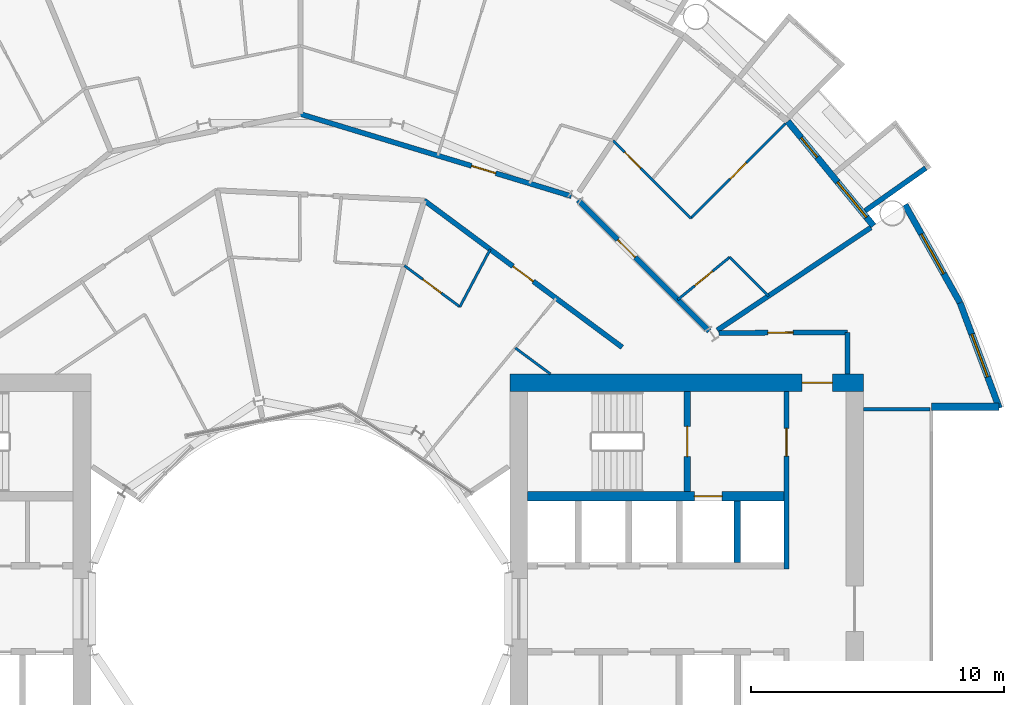
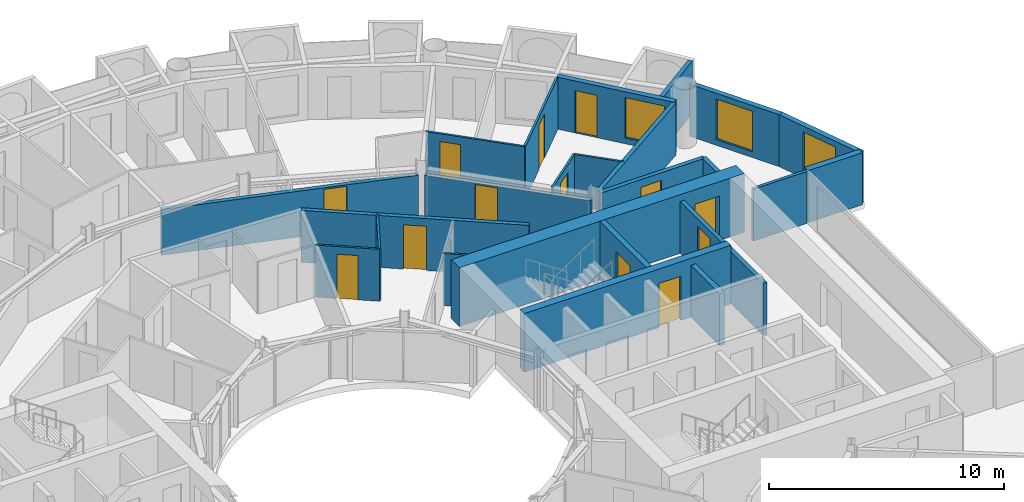
# One storey, part 21 of 26: 24 walls, 13 doors, 3 windows, 16 openings.
"""IFC4 building model written with IfcOpenShell, lengths in metres."""

from ifc_helpers import new_model, si_unit, direction, frame, frame_2d, origin, place, context, subcontext, project, spatial, rectangle, extrude, material, layer, layer_set, type_object, element, fill, save


model = new_model("IFC4")

# Units and contexts
model_context = context("Model", 3, precision=1e-05, world=origin(), true_north=direction((0.0, 1.0)))
body_context = subcontext(model_context, "Body", "Model", "MODEL_VIEW")
ifc_project = project(units=[si_unit("LENGTHUNIT", "METRE"), si_unit("AREAUNIT", "SQUARE_METRE"), si_unit("VOLUMEUNIT", "CUBIC_METRE"), si_unit("PLANEANGLEUNIT", "RADIAN"), si_unit("MASSUNIT", "GRAM", prefix="KILO")], contexts=[model_context])

# Site, building, storey
site_placement = place(None, origin())
site = spatial("IfcSite", under=ifc_project, at=site_placement, CompositionType="ELEMENT")
building_placement = place(site_placement, origin())
building = spatial("IfcBuilding", under=site, at=building_placement, Name="Maasbend Ring Residences", CompositionType="ELEMENT")
storey_placement = place(building_placement, frame((0.0, 0.0, 91.050048828125)))
storey = spatial("IfcBuildingStorey", under=building, at=storey_placement, Name="L26", CompositionType="ELEMENT", Elevation=91.050048828125)

# Wall, opening, door
ifc_material_1 = material(Name="Concrete C70/85", Category="concrete")
ifc_layer_1 = layer(ifc_material_1, 0.25)
ifc_layer_set_1 = layer_set([ifc_layer_1], Name="Concrete C70/85")
wall_type_1 = type_object("IfcWallType", Name="CORE WALL 250 C70/85", PredefinedType="SHEAR", material=ifc_layer_set_1)
wall_1_placement = place(storey_placement, frame((15.324951171875, 4.64990234375, 0.0), z_axis=(0.0, 0.0, 1.0), x_axis=(0.0, 1.0, 0.0)))
wall_1 = element("IfcWall", 1, at=wall_1_placement, inside=storey, type_object=wall_type_1, Name="L26 core E wall STEN", PredefinedType="SHEAR", context=body_context, shape_type="SweptSolid", body=[
    extrude(rectangle(XDim=3.9501953125, YDim=0.25, at=frame_2d((1.97509765625, 0.0))), origin(), (0.0, 0.0, 1.0), 3.050048828125),
])
opening_1_placement = place(wall_1_placement, frame((1.375, 0.0, 0.0)))
opening_1 = element("IfcOpeningElement", 2, at=opening_1_placement, cuts=wall_1, Name="Opening D-E2610", PredefinedType="OPENING", context=body_context, shape_type="SweptSolid", body=[
    extrude(rectangle(XDim=1.199951171875, YDim=2.300048828125, at=frame_2d((0.60009765625, 1.14990234375))), frame((0.0, 0.135009765625, 0.0), z_axis=(0.0, -1.0, 0.0), x_axis=(1.0, 0.0, 0.0)), (0.0, 0.0, 1.0), 0.27001953125),
])
ifc_material_2 = material(Name="Steel, powder coated", Category="steel")
door_type_1 = type_object("IfcDoorType", Name="STAIR DOOR 1200 X 2300 FD60", OperationType="NOTDEFINED", PredefinedType="DOOR", material=ifc_material_2)
door_1_placement = place(opening_1_placement, origin())
door_1 = element("IfcDoor", 3, at=door_1_placement, inside=storey, type_object=door_type_1, Name="Stair door ST-E L26", OperationType="SINGLE_SWING_LEFT", OverallHeight=2.300048828125, OverallWidth=1.199951171875, PredefinedType="DOOR", context=body_context, shape_type="SweptSolid", body=[
    extrude(rectangle(XDim=1.199951171875, YDim=2.300048828125, at=frame_2d((0.60009765625, 1.14990234375))), frame((0.0, 0.02490234375, 0.0), z_axis=(0.0, -1.0, 0.0), x_axis=(1.0, 0.0, 0.0)), (0.0, 0.0, 1.0), 0.050048828125),
])
fill(opening_1, door_1)

ifc_material_3 = material(Name="Concrete C70/85", Category="concrete")
ifc_layer_2 = layer(ifc_material_3, 0.375)
ifc_layer_set_2 = layer_set([ifc_layer_2], Name="Concrete C70/85")
wall_type_2 = type_object("IfcWallType", Name="CORE WALL 375 C70/85", PredefinedType="SHEAR", material=ifc_layer_set_2)
wall_2_placement = place(storey_placement, frame((9.0, 4.46240234375, 0.0), z_axis=(0.0, 0.0, 1.0), x_axis=(1.0, 0.0, 0.0)))
wall_2 = element("IfcWall", 4, at=wall_2_placement, inside=storey, type_object=wall_type_2, Name="L26 core E wall BN", PredefinedType="SHEAR", context=body_context, shape_type="SweptSolid", body=[
    extrude(rectangle(XDim=10.14990234375, YDim=0.375, at=frame_2d((5.074951171875, 0.0))), origin(), (0.0, 0.0, 1.0), 3.050048828125),
])
opening_2_placement = place(wall_2_placement, frame((6.60009765625, 0.0, 0.0)))
opening_2 = element("IfcOpeningElement", 5, at=opening_2_placement, cuts=wall_2, Name="Opening LD-E2604", PredefinedType="OPENING", context=body_context, shape_type="SweptSolid", body=[
    extrude(rectangle(XDim=1.10009765625, YDim=2.300048828125, at=frame_2d((0.550048828125, 1.14990234375))), frame((0.0, 0.197509765625, 0.0), z_axis=(0.0, -1.0, 0.0), x_axis=(1.0, 0.0, 0.0)), (0.0, 0.0, 1.0), 0.39501953125),
])
ifc_material_4 = material(Name="Stainless steel 316", Category="steel")
door_type_2 = type_object("IfcDoorType", Name="LANDING DOOR 1100 X 2300 FD60", OperationType="DOUBLE_DOOR_SLIDING", PredefinedType="DOOR", material=ifc_material_4)
door_2_placement = place(opening_2_placement, origin())
door_2 = element("IfcDoor", 6, at=door_2_placement, inside=storey, type_object=door_type_2, Name="Landing door FF-E L26", OperationType="DOUBLE_DOOR_SLIDING", OverallHeight=2.300048828125, OverallWidth=1.10009765625, PredefinedType="DOOR", context=body_context, shape_type="SweptSolid", body=[
    extrude(rectangle(XDim=1.10009765625, YDim=2.300048828125, at=frame_2d((0.550048828125, 1.14990234375))), frame((0.0, 0.02490234375, 0.0), z_axis=(0.0, -1.0, 0.0), x_axis=(1.0, 0.0, 0.0)), (0.0, 0.0, 1.0), 0.050048828125),
])
fill(opening_2, door_2)

ifc_material_5 = material(Name="Concrete C70/85", Category="concrete")
ifc_layer_3 = layer(ifc_material_5, 0.699951171875)
ifc_layer_set_3 = layer_set([ifc_layer_3], Name="Concrete C70/85")
wall_type_3 = type_object("IfcWallType", Name="CORE WALL 700 C70/85", PredefinedType="SHEAR", material=ifc_layer_set_3)
wall_3_placement = place(storey_placement, frame((22.300048828125, 8.949951171875, 0.0), z_axis=(0.0, 0.0, 1.0), x_axis=(-1.0, 0.0, 0.0)))
wall_3 = element("IfcWall", 7, at=wall_3_placement, inside=storey, type_object=wall_type_3, Name="L26 core E wall PN", PredefinedType="SHEAR", context=body_context, shape_type="SweptSolid", body=[
    extrude(rectangle(XDim=14.0, YDim=0.699951171875, at=frame_2d((7.0, 0.0))), origin(), (0.0, 0.0, 1.0), 3.050048828125),
])
opening_3_placement = place(wall_3_placement, frame((1.22509765625, 0.0, 0.0)))
opening_3 = element("IfcOpeningElement", 8, at=opening_3_placement, cuts=wall_3, Name="Opening D-E2614", PredefinedType="OPENING", context=body_context, shape_type="SweptSolid", body=[
    extrude(rectangle(XDim=1.199951171875, YDim=2.300048828125, at=frame_2d((0.60009765625, 1.14990234375))), frame((0.0, 0.35986328125, 0.0), z_axis=(0.0, -1.0, 0.0), x_axis=(1.0, 0.0, 0.0)), (0.0, 0.0, 1.0), 0.719970703125),
])
ifc_material_6 = material(Name="Steel, powder coated", Category="steel")
door_type_3 = type_object("IfcDoorType", Name="CORRIDOR DOOR 1200 X 2300 FD30S", OperationType="NOTDEFINED", PredefinedType="DOOR", material=ifc_material_6)
door_3_placement = place(opening_3_placement, origin())
door_3 = element("IfcDoor", 9, at=door_3_placement, inside=storey, type_object=door_type_3, Name="Corridor door L26", OperationType="SINGLE_SWING_RIGHT", OverallHeight=2.300048828125, OverallWidth=1.199951171875, PredefinedType="DOOR", context=body_context, shape_type="SweptSolid", body=[
    extrude(rectangle(XDim=1.199951171875, YDim=2.300048828125, at=frame_2d((0.60009765625, 1.14990234375))), frame((0.0, 0.02490234375, 0.0), z_axis=(0.0, -1.0, 0.0), x_axis=(1.0, 0.0, 0.0)), (0.0, 0.0, 1.0), 0.050048828125),
])
fill(opening_3, door_3)

# Wall
ifc_material_7 = material(Name="Concrete C30/37", Category="concrete")
ifc_layer_4 = layer(ifc_material_7, 0.199951171875)
ifc_layer_set_4 = layer_set([ifc_layer_4], Name="Concrete C30/37")
wall_type_4 = type_object("IfcWallType", Name="CORRIDOR WALL 200 CONCRETE", PredefinedType="PARTITIONING", material=ifc_layer_set_4)
wall_4_placement = place(storey_placement, frame((21.675048828125, 9.300048828125, 0.0), z_axis=(0.0, 0.0, 1.0), x_axis=(0.0, 1.0, 0.0)))
element("IfcWall", 10, at=wall_4_placement, inside=storey, type_object=wall_type_4, Name="U-L26-w006", PredefinedType="PARTITIONING", context=body_context, shape_type="SweptSolid", body=[
    extrude(rectangle(XDim=1.64990234375, YDim=0.199951171875, at=frame_2d((0.824951171875, 0.0))), origin(), (0.0, 0.0, 1.0), 2.699951171875),
])

# Wall, opening, door
wall_5_placement = place(storey_placement, frame((16.587890625, 10.925048828125, 0.0), z_axis=(0.0, 0.0, 1.0), x_axis=(0.999988019025, 0.004895079807, 0.0)))
wall_5 = element("IfcWall", 11, at=wall_5_placement, inside=storey, type_object=wall_type_4, Name="U-L26-w087", PredefinedType="PARTITIONING", context=body_context, shape_type="SweptSolid", body=[
    extrude(rectangle(XDim=5.087158203125, YDim=0.199951171875, at=frame_2d((2.54345703125, 0.0))), origin(), (0.0, 0.0, 1.0), 2.699951171875),
])
opening_4_placement = place(wall_5_placement, frame((1.925048828125, 0.0, 0.0)))
opening_4 = element("IfcOpeningElement", 12, at=opening_4_placement, cuts=wall_5, Name="Opening D-2666", PredefinedType="OPENING", context=body_context, shape_type="SweptSolid", body=[
    extrude(rectangle(XDim=1.0, YDim=2.300048828125, at=frame_2d((0.5, 1.14990234375))), frame((0.0, 0.10986328125, 0.0), z_axis=(0.0, -1.0, 0.0), x_axis=(1.0, 0.0, 0.0)), (0.0, 0.0, 1.0), 0.219970703125),
])
ifc_material_8 = material(Name="Timber, painted", Category="wood")
door_type_4 = type_object("IfcDoorType", Name="ROOM DOOR 1000 X 2300", OperationType="NOTDEFINED", PredefinedType="DOOR", material=ifc_material_8)
door_4_placement = place(opening_4_placement, origin())
door_4 = element("IfcDoor", 13, at=door_4_placement, inside=storey, type_object=door_type_4, Name="D-2666", OperationType="SINGLE_SWING_LEFT", OverallHeight=2.300048828125, OverallWidth=1.0, PredefinedType="DOOR", context=body_context, shape_type="SweptSolid", body=[
    extrude(rectangle(XDim=1.0, YDim=2.300048828125, at=frame_2d((0.5, 1.14990234375))), frame((0.0, 0.02490234375, 0.0), z_axis=(0.0, -1.0, 0.0), x_axis=(1.0, 0.0, 0.0)), (0.0, 0.0, 1.0), 0.050048828125),
])
fill(opening_4, door_4)

wall_6_placement = place(storey_placement, frame((4.906005859375, 16.172119140625, 0.0), z_axis=(0.0, 0.0, 1.0), x_axis=(0.803191461888, -0.595720971219, 0.0)))
wall_6 = element("IfcWall", 14, at=wall_6_placement, inside=storey, type_object=wall_type_4, Name="U-L26-w096", PredefinedType="PARTITIONING", context=body_context, shape_type="SweptSolid", body=[
    extrude(rectangle(XDim=9.760009765625, YDim=0.199951171875, at=frame_2d((4.8798828125, 0.0))), origin(), (0.0, 0.0, 1.0), 2.699951171875),
])
opening_5_placement = place(wall_6_placement, frame((4.3798828125, 0.0, 0.0)))
opening_5 = element("IfcOpeningElement", 15, at=opening_5_placement, cuts=wall_6, Name="Opening D-2621", PredefinedType="OPENING", context=body_context, shape_type="SweptSolid", body=[
    extrude(rectangle(XDim=1.0, YDim=2.300048828125, at=frame_2d((0.5, 1.14990234375))), frame((0.0, 0.10986328125, 0.0), z_axis=(0.0, -1.0, 0.0), x_axis=(1.0, 0.0, 0.0)), (0.0, 0.0, 1.0), 0.219970703125),
])
ifc_material_9 = material(Name="Timber, fire-rated, painted", Category="wood")
door_type_5 = type_object("IfcDoorType", Name="FLAT ENTRANCE DOOR 1000 X 2300 FIRE-RATED", OperationType="NOTDEFINED", PredefinedType="DOOR", material=ifc_material_9)
door_5_placement = place(opening_5_placement, origin())
door_5 = element("IfcDoor", 16, at=door_5_placement, inside=storey, type_object=door_type_5, Name="D-2621", OperationType="SINGLE_SWING_LEFT", OverallHeight=2.300048828125, OverallWidth=1.0, PredefinedType="DOOR", context=body_context, shape_type="SweptSolid", body=[
    extrude(rectangle(XDim=1.0, YDim=2.300048828125, at=frame_2d((0.5, 1.14990234375))), frame((0.0, 0.02490234375, 0.0), z_axis=(0.0, -1.0, 0.0), x_axis=(1.0, 0.0, 0.0)), (0.0, 0.0, 1.0), 0.050048828125),
])
fill(opening_5, door_5)

wall_7_placement = place(storey_placement, frame((-0.007080078125, 19.59912109375, 0.0), z_axis=(0.0, 0.0, 1.0), x_axis=(0.95700958731, -0.290056287291, 0.0)))
wall_7 = element("IfcWall", 17, at=wall_7_placement, inside=storey, type_object=wall_type_4, Name="U-L26-w098", PredefinedType="PARTITIONING", context=body_context, shape_type="SweptSolid", body=[
    extrude(rectangle(XDim=11.225830078125, YDim=0.199951171875, at=frame_2d((5.61279296875, 0.0))), origin(), (0.0, 0.0, 1.0), 2.3798828125),
])
opening_6_placement = place(wall_7_placement, frame((7.093017578125, 0.0, 0.0)))
opening_6 = element("IfcOpeningElement", 18, at=opening_6_placement, cuts=wall_7, Name="Opening D-2605", PredefinedType="OPENING", context=body_context, shape_type="SweptSolid", body=[
    extrude(rectangle(XDim=1.0, YDim=2.300048828125, at=frame_2d((0.5, 1.14990234375))), frame((0.0, 0.10986328125, 0.0), z_axis=(0.0, -1.0, 0.0), x_axis=(1.0, 0.0, 0.0)), (0.0, 0.0, 1.0), 0.219970703125),
])
door_6_placement = place(opening_6_placement, origin())
door_6 = element("IfcDoor", 19, at=door_6_placement, inside=storey, type_object=door_type_5, Name="D-2605", OperationType="SINGLE_SWING_RIGHT", OverallHeight=2.300048828125, OverallWidth=1.0, PredefinedType="DOOR", context=body_context, shape_type="SweptSolid", body=[
    extrude(rectangle(XDim=1.0, YDim=2.300048828125, at=frame_2d((0.5, 1.14990234375))), frame((0.0, 0.02490234375, 0.0), z_axis=(0.0, -1.0, 0.0), x_axis=(1.0, 0.0, 0.0)), (0.0, 0.0, 1.0), 0.050048828125),
])
fill(opening_6, door_6)

wall_8_placement = place(storey_placement, frame((11.0, 16.18603515625, 0.0), z_axis=(0.0, 0.0, 1.0), x_axis=(0.707106781187, -0.707106781187, 0.0)))
wall_8 = element("IfcWall", 20, at=wall_8_placement, inside=storey, type_object=wall_type_4, Name="U-L26-w101", PredefinedType="PARTITIONING", context=body_context, shape_type="SweptSolid", body=[
    extrude(rectangle(XDim=7.334228515625, YDim=0.199951171875, at=frame_2d((3.6669921875, 0.0))), origin(), (0.0, 0.0, 1.0), 2.3798828125),
])
opening_7_placement = place(wall_8_placement, frame((2.2109375, 0.0, 0.0)))
opening_7 = element("IfcOpeningElement", 21, at=opening_7_placement, cuts=wall_8, Name="Opening D-2601", PredefinedType="OPENING", context=body_context, shape_type="SweptSolid", body=[
    extrude(rectangle(XDim=1.0, YDim=2.300048828125, at=frame_2d((0.5, 1.14990234375))), frame((0.0, 0.10986328125, 0.0), z_axis=(0.0, -1.0, 0.0), x_axis=(1.0, 0.0, 0.0)), (0.0, 0.0, 1.0), 0.219970703125),
])
door_7_placement = place(opening_7_placement, origin())
door_7 = element("IfcDoor", 22, at=door_7_placement, inside=storey, type_object=door_type_5, Name="D-2601", OperationType="SINGLE_SWING_LEFT", OverallHeight=2.300048828125, OverallWidth=1.0, PredefinedType="DOOR", context=body_context, shape_type="SweptSolid", body=[
    extrude(rectangle(XDim=1.0, YDim=2.300048828125, at=frame_2d((0.5, 1.14990234375))), frame((0.0, 0.02490234375, 0.0), z_axis=(0.0, -1.0, 0.0), x_axis=(1.0, 0.0, 0.0)), (0.0, 0.0, 1.0), 0.050048828125),
])
fill(opening_7, door_7)

# Wall
ifc_material_10 = material(Name="Pale anodised aluminium panel", Category="aluminium")
ifc_layer_5 = layer(ifc_material_10, 0.199951171875)
ifc_layer_set_5 = layer_set([ifc_layer_5], Name="EW-BOX")
wall_type_5 = type_object("IfcWallType", Name="EW-BOX", PredefinedType="SOLIDWALL", material=ifc_layer_set_5)
wall_9_placement = place(storey_placement, frame((22.3701171875, 15.764892578125, -0.030029296875), z_axis=(0.0, 0.0, 1.0), x_axis=(0.817256123454, 0.576274612209, 0.0)))
element("IfcWall", 23, at=wall_9_placement, inside=storey, type_object=wall_type_5, Name="Box side wall N01 left", PredefinedType="SOLIDWALL", context=body_context, shape_type="SweptSolid", body=[
    extrude(rectangle(XDim=2.932861328125, YDim=0.199951171875, at=frame_2d((1.46630859375, 0.0))), origin(), (0.0, 0.0, 1.0), 2.72998046875),
])

# Wall, openings, door, window
ifc_material_11 = material(Name="Aluminium clad insulated panel", Category="aluminium")
ifc_layer_6 = layer(ifc_material_11, 0.25)
ifc_layer_set_6 = layer_set([ifc_layer_6], Name="EW-GL")
wall_type_6 = type_object("IfcWallType", Name="EW-GL", PredefinedType="SOLIDWALL", material=ifc_layer_set_6)
wall_10_placement = place(storey_placement, frame((22.698974609375, 15.1669921875, 0.0), z_axis=(0.0, 0.0, 1.0), x_axis=(-0.634382322723, 0.773019449054, 0.0)))
wall_10 = element("IfcWall", 24, at=wall_10_placement, inside=storey, type_object=wall_type_6, Name="External wall N01", PredefinedType="SOLIDWALL", context=body_context, shape_type="SweptSolid", body=[
    extrude(rectangle(XDim=5.351806640625, YDim=0.25, at=frame_2d((2.67578125, 0.0))), origin(), (0.0, 0.0, 1.0), 2.699951171875),
])
opening_8_placement = place(wall_10_placement, frame((0.441162109375, 0.0, 0.300048828125)))
opening_8 = element("IfcOpeningElement", 25, at=opening_8_placement, cuts=wall_10, Name="Opening W-BX", PredefinedType="OPENING", context=body_context, shape_type="SweptSolid", body=[
    extrude(rectangle(XDim=1.800048828125, YDim=2.10009765625, at=frame_2d((0.89990234375, 1.050048828125))), frame((0.0, 0.135009765625, 0.0), z_axis=(0.0, -1.0, 0.0), x_axis=(1.0, 0.0, 0.0)), (0.0, 0.0, 1.0), 0.27001953125),
])
opening_9_placement = place(wall_10_placement, frame((3.510498046875, 0.0, 0.0)))
opening_9 = element("IfcOpeningElement", 26, at=opening_9_placement, cuts=wall_10, Name="Opening D-LG", PredefinedType="OPENING", context=body_context, shape_type="SweptSolid", body=[
    extrude(rectangle(XDim=1.0, YDim=2.199951171875, at=frame_2d((0.5, 1.10009765625))), frame((0.0, 0.135009765625, 0.0), z_axis=(0.0, -1.0, 0.0), x_axis=(1.0, 0.0, 0.0)), (0.0, 0.0, 1.0), 0.27001953125),
])
ifc_material_12 = material(Name="Aluminium and clear glass", Category="aluminium")
door_type_6 = type_object("IfcDoorType", Name="D-LG", OperationType="SINGLE_SWING_LEFT", PredefinedType="DOOR", material=ifc_material_12)
door_8_placement = place(opening_9_placement, origin())
door_8 = element("IfcDoor", 27, at=door_8_placement, inside=storey, type_object=door_type_6, Name="Loggia door N02", OperationType="SINGLE_SWING_LEFT", OverallHeight=2.199951171875, OverallWidth=1.0, PredefinedType="DOOR", context=body_context, shape_type="SweptSolid", body=[
    extrude(rectangle(XDim=1.0, YDim=2.199951171875, at=frame_2d((0.5, 1.10009765625))), frame((0.0, 0.02490234375, 0.0), z_axis=(0.0, -1.0, 0.0), x_axis=(1.0, 0.0, 0.0)), (0.0, 0.0, 1.0), 0.050048828125),
])
fill(opening_9, door_8)
ifc_material_13 = material(Name="Aluminium and clear glass", Category="aluminium")
window_type = type_object("IfcWindowType", Name="W-BX", PartitioningType="DOUBLE_PANEL_VERTICAL", PredefinedType="WINDOW", material=ifc_material_13)
window_1_placement = place(opening_8_placement, origin())
window_1 = element("IfcWindow", 28, at=window_1_placement, inside=storey, type_object=window_type, Name="Window N01 room to box", OverallHeight=2.10009765625, OverallWidth=1.800048828125, PartitioningType="SINGLE_PANEL", PredefinedType="WINDOW", context=body_context, shape_type="SweptSolid", body=[
    extrude(rectangle(XDim=1.800048828125, YDim=2.10009765625, at=frame_2d((0.89990234375, 1.050048828125))), frame((0.0, 0.030029296875, 0.0), z_axis=(0.0, -1.0, 0.0), x_axis=(1.0, 0.0, 0.0)), (0.0, 0.0, 1.0), 0.06005859375),
])
fill(opening_8, window_1)

# Wall, opening, window
ifc_material_14 = material(Name="Aluminium clad insulated panel", Category="aluminium")
ifc_layer_7 = layer(ifc_material_14, 0.25)
ifc_layer_set_7 = layer_set([ifc_layer_7], Name="EW-HORN")
wall_type_7 = type_object("IfcWallType", Name="EW-HORN", PredefinedType="SOLIDWALL", material=ifc_layer_set_7)
wall_11_placement = place(storey_placement, frame((27.681884765625, 7.945068359375, 0.0), z_axis=(0.0, 0.0, 1.0), x_axis=(-0.349247811493, 0.937030397675, 0.0)))
wall_11 = element("IfcWall", 29, at=wall_11_placement, inside=storey, type_object=wall_type_7, Name="Horn wall 1.1", PredefinedType="SOLIDWALL", context=body_context, shape_type="SweptSolid", body=[
    extrude(rectangle(XDim=4.4521484375, YDim=0.25, at=frame_2d((2.22607421875, 0.0))), origin(), (0.0, 0.0, 1.0), 2.699951171875),
])
opening_10_placement = place(wall_11_placement, frame((1.32666015625, 0.0, 0.300048828125)))
opening_10 = element("IfcOpeningElement", 30, at=opening_10_placement, cuts=wall_11, Name="Opening W-BX", PredefinedType="OPENING", context=body_context, shape_type="SweptSolid", body=[
    extrude(rectangle(XDim=1.800048828125, YDim=2.10009765625, at=frame_2d((0.89990234375, 1.050048828125))), frame((0.0, 0.135009765625, 0.0), z_axis=(0.0, -1.0, 0.0), x_axis=(1.0, 0.0, 0.0)), (0.0, 0.0, 1.0), 0.27001953125),
])
window_2_placement = place(opening_10_placement, origin())
window_2 = element("IfcWindow", 31, at=window_2_placement, inside=storey, type_object=window_type, Name="Horn window 1.1", OverallHeight=2.10009765625, OverallWidth=1.800048828125, PartitioningType="SINGLE_PANEL", PredefinedType="WINDOW", context=body_context, shape_type="SweptSolid", body=[
    extrude(rectangle(XDim=1.800048828125, YDim=2.10009765625, at=frame_2d((0.89990234375, 1.050048828125))), frame((0.0, 0.030029296875, 0.0), z_axis=(0.0, -1.0, 0.0), x_axis=(1.0, 0.0, 0.0)), (0.0, 0.0, 1.0), 0.06005859375),
])
fill(opening_10, window_2)

wall_12_placement = place(storey_placement, frame((26.126953125, 12.116943359375, 0.0), z_axis=(0.0, 0.0, 1.0), x_axis=(-0.489696356642, 0.871893042919, 0.0)))
wall_12 = element("IfcWall", 32, at=wall_12_placement, inside=storey, type_object=wall_type_7, Name="Horn wall 1.2", PredefinedType="SOLIDWALL", context=body_context, shape_type="SweptSolid", body=[
    extrude(rectangle(XDim=4.45361328125, YDim=0.25, at=frame_2d((2.226806640625, 0.0))), origin(), (0.0, 0.0, 1.0), 2.699951171875),
])
opening_11_placement = place(wall_12_placement, frame((1.32666015625, 0.0, 0.300048828125)))
opening_11 = element("IfcOpeningElement", 33, at=opening_11_placement, cuts=wall_12, Name="Opening W-BX", PredefinedType="OPENING", context=body_context, shape_type="SweptSolid", body=[
    extrude(rectangle(XDim=1.800048828125, YDim=2.10009765625, at=frame_2d((0.89990234375, 1.050048828125))), frame((0.0, 0.135009765625, 0.0), z_axis=(0.0, -1.0, 0.0), x_axis=(1.0, 0.0, 0.0)), (0.0, 0.0, 1.0), 0.27001953125),
])
window_3_placement = place(opening_11_placement, origin())
window_3 = element("IfcWindow", 34, at=window_3_placement, inside=storey, type_object=window_type, Name="Horn window 1.2", OverallHeight=2.10009765625, OverallWidth=1.800048828125, PartitioningType="SINGLE_PANEL", PredefinedType="WINDOW", context=body_context, shape_type="SweptSolid", body=[
    extrude(rectangle(XDim=1.800048828125, YDim=2.10009765625, at=frame_2d((0.89990234375, 1.050048828125))), frame((0.0, 0.030029296875, 0.0), z_axis=(0.0, -1.0, 0.0), x_axis=(1.0, 0.0, 0.0)), (0.0, 0.0, 1.0), 0.06005859375),
])
fill(opening_11, window_3)

# Walls
ifc_material_15 = material(Name="Aluminium clad insulated panel", Category="aluminium")
ifc_layer_8 = layer(ifc_material_15, 0.300048828125)
ifc_layer_set_8 = layer_set([ifc_layer_8], Name="EW-RET")
wall_type_8 = type_object("IfcWallType", Name="EW-RET", PredefinedType="SOLIDWALL", material=ifc_layer_set_8)
wall_13_placement = place(storey_placement, frame((25.0, 8.0, 0.0), z_axis=(0.0, 0.0, 1.0), x_axis=(1.0, 0.0, 0.0)))
element("IfcWall", 35, at=wall_13_placement, inside=storey, type_object=wall_type_8, Name="Notch return wall east north", PredefinedType="SOLIDWALL", context=body_context, shape_type="SweptSolid", body=[
    extrude(rectangle(XDim=2.6669921875, YDim=0.300048828125, at=frame_2d((1.33349609375, 0.0))), origin(), (0.0, 0.0, 1.0), 2.699951171875),
])
ifc_material_16 = material(Name="Gypsum board on steel studs", Category="steel")
ifc_layer_9 = layer(ifc_material_16, 0.10009765625)
ifc_layer_set_9 = layer_set([ifc_layer_9], Name="PARTITION 100 GYPSUM")
wall_type_9 = type_object("IfcWallType", Name="PARTITION 100 GYPSUM", PredefinedType="PARTITIONING", material=ifc_layer_set_9)
wall_14_placement = place(storey_placement, frame((6.318115234375, 11.9599609375, 0.0), z_axis=(0.0, 0.0, 1.0), x_axis=(0.467001992543, 0.884256263173, 0.0)))
element("IfcWall", 36, at=wall_14_placement, inside=storey, type_object=wall_type_9, Name="U-L26-w072", PredefinedType="PARTITIONING", context=body_context, shape_type="SweptSolid", body=[
    extrude(rectangle(XDim=2.571533203125, YDim=0.10009765625, at=frame_2d((1.28564453125, 0.0))), origin(), (0.0, 0.0, 1.0), 2.699951171875),
])

# Wall, opening, door
wall_15_placement = place(storey_placement, frame((14.945068359375, 12.240966796875, 0.0), z_axis=(0.0, 0.0, 1.0), x_axis=(0.77367517848, 0.633582447834, 0.0)))
wall_15 = element("IfcWall", 37, at=wall_15_placement, inside=storey, type_object=wall_type_9, Name="U-L26-w079", PredefinedType="PARTITIONING", context=body_context, shape_type="SweptSolid", body=[
    extrude(rectangle(XDim=2.6611328125, YDim=0.10009765625, at=frame_2d((1.33056640625, 0.0))), origin(), (0.0, 0.0, 1.0), 2.699951171875),
])
opening_12_placement = place(wall_15_placement, frame((0.881103515625, 0.0, 0.0)))
opening_12 = element("IfcOpeningElement", 38, at=opening_12_placement, cuts=wall_15, Name="Opening D-2602", PredefinedType="OPENING", context=body_context, shape_type="SweptSolid", body=[
    extrude(rectangle(XDim=0.89990234375, YDim=2.300048828125, at=frame_2d((0.449951171875, 1.14990234375))), frame((0.0, 0.06005859375, 0.0), z_axis=(0.0, -1.0, 0.0), x_axis=(1.0, 0.0, 0.0)), (0.0, 0.0, 1.0), 0.1201171875),
])
ifc_material_17 = material(Name="Timber, painted", Category="wood")
door_type_7 = type_object("IfcDoorType", Name="INTERNAL DOOR 900 X 2300", OperationType="NOTDEFINED", PredefinedType="DOOR", material=ifc_material_17)
door_9_placement = place(opening_12_placement, origin())
door_9 = element("IfcDoor", 39, at=door_9_placement, inside=storey, type_object=door_type_7, Name="D-2602", OperationType="SINGLE_SWING_LEFT", OverallHeight=2.300048828125, OverallWidth=0.89990234375, PredefinedType="DOOR", context=body_context, shape_type="SweptSolid", body=[
    extrude(rectangle(XDim=0.89990234375, YDim=2.300048828125, at=frame_2d((0.449951171875, 1.14990234375))), frame((0.0, 0.02490234375, 0.0), z_axis=(0.0, -1.0, 0.0), x_axis=(1.0, 0.0, 0.0)), (0.0, 0.0, 1.0), 0.050048828125),
])
fill(opening_12, door_9)

wall_16_placement = place(storey_placement, frame((15.465087890625, 15.465087890625, 0.0), z_axis=(0.0, 0.0, 1.0), x_axis=(0.707106781187, 0.707106781187, 0.0)))
wall_16 = element("IfcWall", 40, at=wall_16_placement, inside=storey, type_object=wall_type_9, Name="U-L26-w081", PredefinedType="PARTITIONING", context=body_context, shape_type="SweptSolid", body=[
    extrude(rectangle(XDim=5.3046875, YDim=0.10009765625, at=frame_2d((2.65234375, 0.0))), origin(), (0.0, 0.0, 1.0), 2.699951171875),
])
opening_13_placement = place(wall_16_placement, frame((2.201904296875, 0.0, 0.0)))
opening_13 = element("IfcOpeningElement", 41, at=opening_13_placement, cuts=wall_16, Name="Opening D-2603", PredefinedType="OPENING", context=body_context, shape_type="SweptSolid", body=[
    extrude(rectangle(XDim=0.89990234375, YDim=2.300048828125, at=frame_2d((0.449951171875, 1.14990234375))), frame((0.0, 0.06005859375, 0.0), z_axis=(0.0, -1.0, 0.0), x_axis=(1.0, 0.0, 0.0)), (0.0, 0.0, 1.0), 0.1201171875),
])
door_10_placement = place(opening_13_placement, origin())
door_10 = element("IfcDoor", 42, at=door_10_placement, inside=storey, type_object=door_type_7, Name="D-2603", OperationType="SINGLE_SWING_RIGHT", OverallHeight=2.300048828125, OverallWidth=0.89990234375, PredefinedType="DOOR", context=body_context, shape_type="SweptSolid", body=[
    extrude(rectangle(XDim=0.89990234375, YDim=2.300048828125, at=frame_2d((0.449951171875, 1.14990234375))), frame((0.0, 0.02490234375, 0.0), z_axis=(0.0, -1.0, 0.0), x_axis=(1.0, 0.0, 0.0)), (0.0, 0.0, 1.0), 0.050048828125),
])
fill(opening_13, door_10)

wall_17_placement = place(storey_placement, frame((4.1220703125, 13.589111328125, 0.0), z_axis=(0.0, 0.0, 1.0), x_axis=(0.803128348509, -0.595806055542, 0.0)))
wall_17 = element("IfcWall", 43, at=wall_17_placement, inside=storey, type_object=wall_type_9, Name="U-L26-w091", PredefinedType="PARTITIONING", context=body_context, shape_type="SweptSolid", body=[
    extrude(rectangle(XDim=2.734375, YDim=0.10009765625, at=frame_2d((1.3671875, 0.0))), origin(), (0.0, 0.0, 1.0), 2.699951171875),
])
opening_14_placement = place(wall_17_placement, frame((0.9169921875, 0.0, 0.0)))
opening_14 = element("IfcOpeningElement", 44, at=opening_14_placement, cuts=wall_17, Name="Opening D-2622", PredefinedType="OPENING", context=body_context, shape_type="SweptSolid", body=[
    extrude(rectangle(XDim=0.89990234375, YDim=2.300048828125, at=frame_2d((0.449951171875, 1.14990234375))), frame((0.0, 0.06005859375, 0.0), z_axis=(0.0, -1.0, 0.0), x_axis=(1.0, 0.0, 0.0)), (0.0, 0.0, 1.0), 0.1201171875),
])
door_11_placement = place(opening_14_placement, origin())
door_11 = element("IfcDoor", 45, at=door_11_placement, inside=storey, type_object=door_type_7, Name="D-2622", OperationType="SINGLE_SWING_LEFT", OverallHeight=2.300048828125, OverallWidth=0.89990234375, PredefinedType="DOOR", context=body_context, shape_type="SweptSolid", body=[
    extrude(rectangle(XDim=0.89990234375, YDim=2.300048828125, at=frame_2d((0.449951171875, 1.14990234375))), frame((0.0, 0.02490234375, 0.0), z_axis=(0.0, -1.0, 0.0), x_axis=(1.0, 0.0, 0.0)), (0.0, 0.0, 1.0), 0.050048828125),
])
fill(opening_14, door_11)

# Wall
wall_18_placement = place(storey_placement, frame((8.511962890625, 10.33203125, 0.0), z_axis=(0.0, 0.0, 1.0), x_axis=(0.803135014325, -0.595797070121, 0.0)))
element("IfcWall", 46, at=wall_18_placement, inside=storey, type_object=wall_type_9, Name="U-L26-w092", PredefinedType="PARTITIONING", context=body_context, shape_type="SweptSolid", body=[
    extrude(rectangle(XDim=1.732177734375, YDim=0.10009765625, at=frame_2d((0.8662109375, 0.0))), origin(), (0.0, 0.0, 1.0), 2.699951171875),
])

# Wall, opening, door
wall_19_placement = place(storey_placement, frame((12.388916015625, 18.5419921875, 0.0), z_axis=(0.0, 0.0, 1.0), x_axis=(0.707022606819, -0.707190945535, 0.0)))
wall_19 = element("IfcWall", 47, at=wall_19_placement, inside=storey, type_object=wall_type_9, Name="U-L26-w110", PredefinedType="PARTITIONING", context=body_context, shape_type="SweptSolid", body=[
    extrude(rectangle(XDim=4.350830078125, YDim=0.10009765625, at=frame_2d((2.17529296875, 0.0))), origin(), (0.0, 0.0, 1.0), 2.699951171875),
])
opening_15_placement = place(wall_19_placement, frame((0.638916015625, 0.0, 0.0)))
opening_15 = element("IfcOpeningElement", 48, at=opening_15_placement, cuts=wall_19, Name="Opening D-2604", PredefinedType="OPENING", context=body_context, shape_type="SweptSolid", body=[
    extrude(rectangle(XDim=0.89990234375, YDim=2.300048828125, at=frame_2d((0.449951171875, 1.14990234375))), frame((0.0, 0.06005859375, 0.0), z_axis=(0.0, -1.0, 0.0), x_axis=(1.0, 0.0, 0.0)), (0.0, 0.0, 1.0), 0.1201171875),
])
door_12_placement = place(opening_15_placement, origin())
door_12 = element("IfcDoor", 49, at=door_12_placement, inside=storey, type_object=door_type_7, Name="D-2604", OperationType="SINGLE_SWING_LEFT", OverallHeight=2.300048828125, OverallWidth=0.89990234375, PredefinedType="DOOR", context=body_context, shape_type="SweptSolid", body=[
    extrude(rectangle(XDim=0.89990234375, YDim=2.300048828125, at=frame_2d((0.449951171875, 1.14990234375))), frame((0.0, 0.02490234375, 0.0), z_axis=(0.0, -1.0, 0.0), x_axis=(1.0, 0.0, 0.0)), (0.0, 0.0, 1.0), 0.050048828125),
])
fill(opening_15, door_12)

# Walls
wall_20_placement = place(storey_placement, frame((17.006103515625, 13.924072265625, 0.0), z_axis=(0.0, 0.0, 1.0), x_axis=(0.706826194425, -0.707387256653, 0.0)))
element("IfcWall", 50, at=wall_20_placement, inside=storey, type_object=wall_type_9, Name="U-L26-w111", PredefinedType="PARTITIONING", context=body_context, shape_type="SweptSolid", body=[
    extrude(rectangle(XDim=2.17578125, YDim=0.10009765625, at=frame_2d((1.087890625, 0.0))), origin(), (0.0, 0.0, 1.0), 2.699951171875),
])
ifc_material_18 = material(Name="Gypsum board on steel studs", Category="steel")
ifc_layer_10 = layer(ifc_material_18, 0.14990234375)
ifc_layer_set_10 = layer_set([ifc_layer_10], Name="PARTITION 150 EI 60")
wall_type_10 = type_object("IfcWallType", Name="PARTITION 150 EI 60", PredefinedType="PARTITIONING", material=ifc_layer_set_10)
wall_21_placement = place(storey_placement, frame((22.300048828125, 7.89990234375, 0.0), z_axis=(0.0, 0.0, 1.0), x_axis=(1.0, 0.0, 0.0)))
element("IfcWall", 51, at=wall_21_placement, inside=storey, type_object=wall_type_10, Name="L26 core E wall CITN", PredefinedType="PARTITIONING", context=body_context, shape_type="SweptSolid", body=[
    extrude(rectangle(XDim=2.639892578125, YDim=0.14990234375, at=frame_2d((1.31982421875, 0.0))), origin(), (0.0, 0.0, 1.0), 2.699951171875),
])
ifc_material_19 = material(Name="Concrete C30/37", Category="concrete")
ifc_layer_11 = layer(ifc_material_19, 0.199951171875)
ifc_layer_set_11 = layer_set([ifc_layer_11], Name="Concrete C30/37")
wall_type_11 = type_object("IfcWallType", Name="PARTY WALL 200 CONCRETE", PredefinedType="PARTITIONING", material=ifc_layer_set_11)
wall_22_placement = place(storey_placement, frame((16.514892578125, 11.033935546875, 0.0), z_axis=(0.0, 0.0, 1.0), x_axis=(0.831382022135, 0.555701298605, 0.0)))
element("IfcWall", 52, at=wall_22_placement, inside=storey, type_object=wall_type_11, Name="U-L26-w083", PredefinedType="PARTITIONING", context=body_context, shape_type="SweptSolid", body=[
    extrude(rectangle(XDim=7.313232421875, YDim=0.199951171875, at=frame_2d((3.65673828125, 0.0))), origin(), (0.0, 0.0, 1.0), 2.699951171875),
])

# Wall, opening, door
ifc_material_20 = material(Name="Concrete C30/37", Category="concrete")
ifc_layer_12 = layer(ifc_material_20, 0.199951171875)
ifc_layer_set_12 = layer_set([ifc_layer_12], Name="Concrete C30/37")
wall_type_12 = type_object("IfcWallType", Name="SHAFT WALL 200 EI 120", PredefinedType="SOLIDWALL", material=ifc_layer_set_12)
wall_23_placement = place(storey_placement, frame((19.25, 1.574951171875, 0.0), z_axis=(0.0, 0.0, 1.0), x_axis=(0.0, 1.0, 0.0)))
wall_23 = element("IfcWall", 53, at=wall_23_placement, inside=storey, type_object=wall_type_12, Name="L26 core E wall ENDN", PredefinedType="SOLIDWALL", context=body_context, shape_type="SweptSolid", body=[
    extrude(rectangle(XDim=7.025146484375, YDim=0.199951171875, at=frame_2d((3.5126953125, 0.0))), origin(), (0.0, 0.0, 1.0), 2.699951171875),
])
opening_16_placement = place(wall_23_placement, frame((4.47509765625, 0.0, 0.0)))
opening_16 = element("IfcOpeningElement", 54, at=opening_16_placement, cuts=wall_23, Name="Opening D-E2612", PredefinedType="OPENING", context=body_context, shape_type="SweptSolid", body=[
    extrude(rectangle(XDim=1.10009765625, YDim=2.300048828125, at=frame_2d((0.550048828125, 1.14990234375))), frame((0.0, 0.10986328125, 0.0), z_axis=(0.0, -1.0, 0.0), x_axis=(1.0, 0.0, 0.0)), (0.0, 0.0, 1.0), 0.219970703125),
])
ifc_material_21 = material(Name="Steel, powder coated", Category="steel")
door_type_8 = type_object("IfcDoorType", Name="LOBBY DOOR 1100 X 2300 FD60", OperationType="NOTDEFINED", PredefinedType="DOOR", material=ifc_material_21)
door_13_placement = place(opening_16_placement, origin())
door_13 = element("IfcDoor", 55, at=door_13_placement, inside=storey, type_object=door_type_8, Name="Lobby door L26", OperationType="SINGLE_SWING_LEFT", OverallHeight=2.300048828125, OverallWidth=1.10009765625, PredefinedType="DOOR", context=body_context, shape_type="SweptSolid", body=[
    extrude(rectangle(XDim=1.10009765625, YDim=2.300048828125, at=frame_2d((0.550048828125, 1.14990234375))), frame((0.0, 0.02490234375, 0.0), z_axis=(0.0, -1.0, 0.0), x_axis=(1.0, 0.0, 0.0)), (0.0, 0.0, 1.0), 0.050048828125),
])
fill(opening_16, door_13)

# Wall
ifc_material_22 = material(Name="Concrete C30/37", Category="concrete")
ifc_layer_13 = layer(ifc_material_22, 0.25)
ifc_layer_set_13 = layer_set([ifc_layer_13], Name="Concrete C30/37")
wall_type_13 = type_object("IfcWallType", Name="SHAFT WALL 250 EI 120", PredefinedType="SOLIDWALL", material=ifc_layer_set_13)
wall_24_placement = place(storey_placement, frame((17.300048828125, 1.824951171875, 0.0), z_axis=(0.0, 0.0, 1.0), x_axis=(0.0, 1.0, 0.0)))
element("IfcWall", 56, at=wall_24_placement, inside=storey, type_object=wall_type_13, Name="L26 core E wall D173N", PredefinedType="SOLIDWALL", context=body_context, shape_type="SweptSolid", body=[
    extrude(rectangle(XDim=2.449951171875, YDim=0.25, at=frame_2d((1.22509765625, 0.0))), origin(), (0.0, 0.0, 1.0), 2.699951171875),
])

save(model, "model.ifc")
